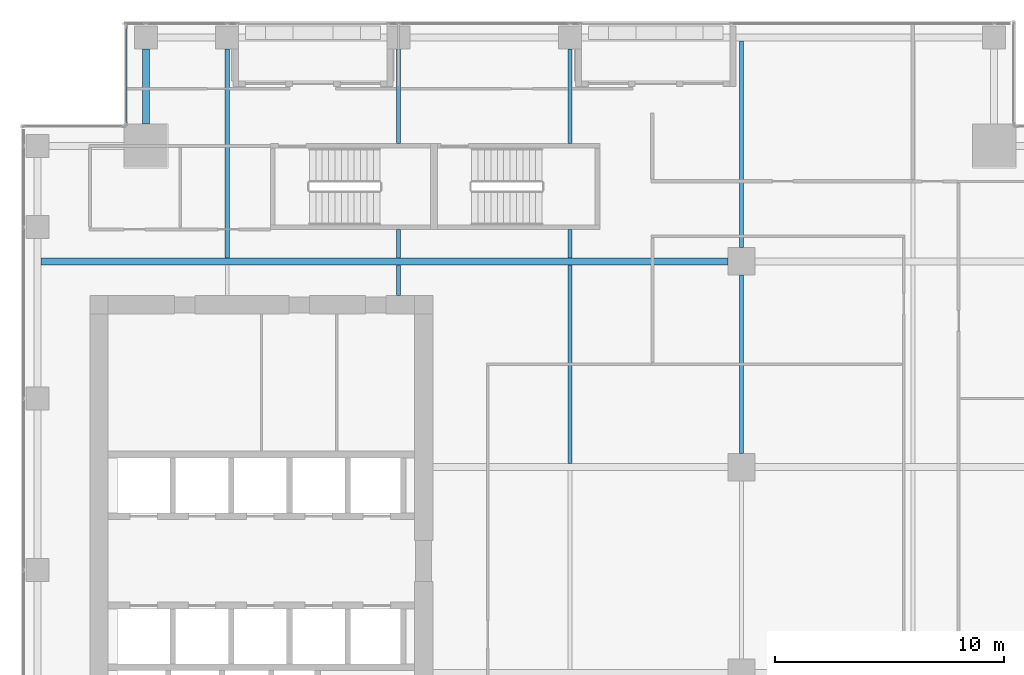
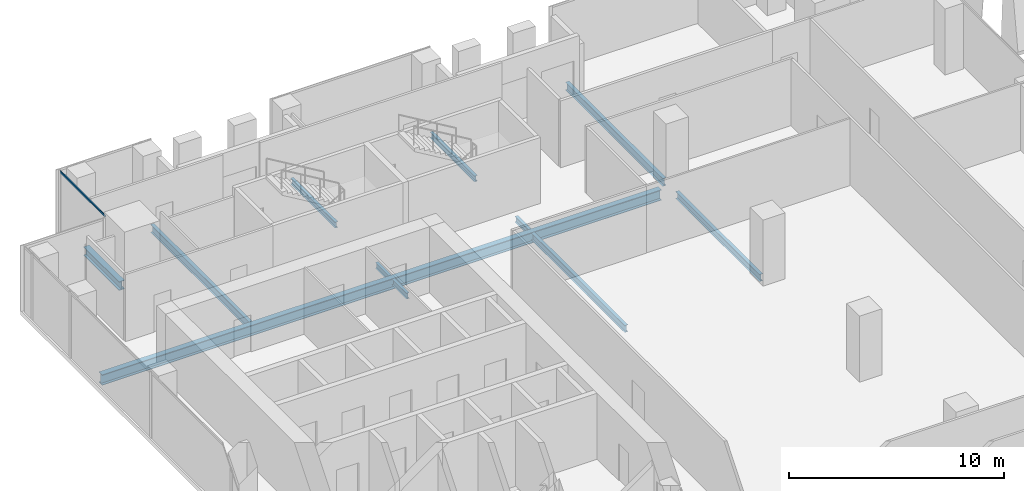
# One storey, part 18 of 38: 11 beams, 1 member, 1 element without a shape of its own.
"""IFC4 building model written with IfcOpenShell, lengths in metres."""

from ifc_helpers import new_model, si_unit, direction, frame, origin, origin_2d, place, context, subcontext, project, spatial, hollow_rectangle, i_section, extrude, source, transform, mapped, material, material_profile, profile_set, type_object, element, aggregate, save


model = new_model("IFC4")

# Units and contexts
model_context = context("Model", 3, precision=1e-05, world=origin(), true_north=direction((0.0, 1.0)))
body_context = subcontext(model_context, "Body", "Model", "MODEL_VIEW")
ifc_project = project(units=[si_unit("LENGTHUNIT", "METRE"), si_unit("AREAUNIT", "SQUARE_METRE"), si_unit("VOLUMEUNIT", "CUBIC_METRE"), si_unit("PLANEANGLEUNIT", "RADIAN"), si_unit("MASSUNIT", "GRAM", prefix="KILO")], contexts=[model_context])

# Site, building, storey
site_placement = place(None, origin())
site = spatial("IfcSite", under=ifc_project, at=site_placement, CompositionType="ELEMENT")
building_placement = place(site_placement, origin())
building = spatial("IfcBuilding", under=site, at=building_placement, Name="Khomas Fold Tower", CompositionType="ELEMENT")
storey_placement = place(building_placement, frame((0.0, 0.0, 208.699951171875)))
storey = spatial("IfcBuildingStorey", under=building, at=storey_placement, Name="L46", CompositionType="ELEMENT", Elevation=208.699951171875)

# Beams
ifc_material_1 = material(Name="Steel S355", Category="steel")
ifc_material_profile_1 = material_profile(ifc_material_1, i_section(OverallWidth=0.179931640625, OverallDepth=0.39990234375, WebThickness=0.008544921875, FlangeThickness=0.013427734375, at=origin_2d()), Name="IPE 400")
ifc_profile_set_1 = profile_set([ifc_material_profile_1], Name="Steel S355")
beam_type_1 = type_object("IfcBeamType", Name="IPE 400 beam JB3", PredefinedType="BEAM", material=ifc_profile_set_1)
shared_shape_1 = source(origin(), body_context, "Body", "SweptSolid", [
    extrude(i_section(OverallWidth=0.179931640625, OverallDepth=0.39990234375, WebThickness=0.008544921875, FlangeThickness=0.013427734375, at=origin_2d()), origin(), (0.0, 0.0, 1.0), 8.7001953125),
])
beam_1_placement = place(storey_placement, frame((27.0, 31.64990234375, -0.449951171875), z_axis=(0.0, 1.0, 0.0), x_axis=(-1.0, 0.0, 0.0)))
element("IfcBeam", 1, at=beam_1_placement, inside=storey, type_object=beam_type_1, Name="JB3", PredefinedType="BEAM", context=body_context, shape_type="MappedRepresentation", body=[
    mapped(shared_shape_1, transform((0.0, 0.0, 0.0))),
])
ifc_material_2 = material(Name="Steel S355", Category="steel")
ifc_material_profile_2 = material_profile(ifc_material_2, i_section(OverallWidth=0.159912109375, OverallDepth=0.330078125, WebThickness=0.007568359375, FlangeThickness=0.011474609375, at=origin_2d()), Name="IPE 330")
ifc_profile_set_2 = profile_set([ifc_material_profile_2], Name="Steel S355")
beam_type_2 = type_object("IfcBeamType", Name="IPE 330 beam JB1", PredefinedType="BEAM", material=ifc_profile_set_2)
shared_shape_2 = source(origin(), body_context, "Body", "SweptSolid", [
    extrude(i_section(OverallWidth=0.159912109375, OverallDepth=0.330078125, WebThickness=0.007568359375, FlangeThickness=0.011474609375, at=origin_2d()), origin(), (0.0, 0.0, 1.0), 1.25),
])
for number, where, z_axis, x_axis, name in (
    (2, (19.5, 40.64990234375, -0.4150390625), (0.0, 1.0, 0.0), (-1.0, 0.0, 0.0), "JB1"),
    (3, (27.0, 40.64990234375, -0.4150390625), (0.0, 1.0, 0.0), (-1.0, 0.0, 0.0), "JB1"),
):
    element("IfcBeam", number, at=place(storey_placement, frame(where, z_axis=z_axis, x_axis=x_axis)), inside=storey, type_object=beam_type_2, Name=name, PredefinedType="BEAM", context=body_context, shape_type="MappedRepresentation", body=[
        mapped(shared_shape_2, transform((0.0, 0.0, 0.0))),
    ])
ifc_material_3 = material(Name="Steel S355", Category="steel")
ifc_material_profile_3 = material_profile(ifc_material_3, i_section(OverallWidth=0.300048828125, OverallDepth=0.5, WebThickness=0.014404296875, FlangeThickness=0.028076171875, at=origin_2d()), Name="HE 500 B")
ifc_profile_set_3 = profile_set([ifc_material_profile_3], Name="Steel S355")
beam_type_3 = type_object("IfcBeamType", Name="HE 500 B spandrel SB3", PredefinedType="SPANDREL", material=ifc_profile_set_3)
shared_shape_3 = source(origin(), body_context, "Body", "SweptSolid", [
    extrude(i_section(OverallWidth=0.300048828125, OverallDepth=0.5, WebThickness=0.014404296875, FlangeThickness=0.028076171875, at=origin_2d()), origin(), (0.0, 0.0, 1.0), 3.300048828125),
])
beam_2_placement = place(storey_placement, frame((8.449951171875, 46.5, -0.5), z_axis=(0.0, 1.0, 0.0), x_axis=(-1.0, 0.0, 0.0)))
element("IfcBeam", 4, at=beam_2_placement, inside=storey, type_object=beam_type_3, Name="SB3", PredefinedType="SPANDREL", context=body_context, shape_type="MappedRepresentation", body=[
    mapped(shared_shape_3, transform((0.0, 0.0, 0.0))),
])
shared_shape_4 = source(origin(), body_context, "Body", "SweptSolid", [
    extrude(i_section(OverallWidth=0.159912109375, OverallDepth=0.330078125, WebThickness=0.007568359375, FlangeThickness=0.011474609375, at=origin_2d()), origin(), (0.0, 0.0, 1.0), 4.150146484375),
])
for number, where, z_axis, x_axis, name in (
    (5, (19.5, 45.64990234375, -0.4150390625), (0.0, 1.0, 0.0), (-1.0, 0.0, 0.0), "JB1"),
    (6, (27.0, 45.64990234375, -0.4150390625), (0.0, 1.0, 0.0), (-1.0, 0.0, 0.0), "JB1"),
):
    element("IfcBeam", number, at=place(storey_placement, frame(where, z_axis=z_axis, x_axis=x_axis)), inside=storey, type_object=beam_type_2, Name=name, PredefinedType="BEAM", context=body_context, shape_type="MappedRepresentation", body=[
        mapped(shared_shape_4, transform((0.0, 0.0, 0.0))),
    ])
shared_shape_5 = source(origin(), body_context, "Body", "SweptSolid", [
    extrude(i_section(OverallWidth=0.179931640625, OverallDepth=0.39990234375, WebThickness=0.008544921875, FlangeThickness=0.013427734375, at=origin_2d()), origin(), (0.0, 0.0, 1.0), 7.7998046875),
])
beam_3_placement = place(storey_placement, frame((34.5, 32.10009765625, -0.449951171875), z_axis=(0.0, 1.0, 0.0), x_axis=(-1.0, 0.0, 0.0)))
element("IfcBeam", 7, at=beam_3_placement, inside=storey, type_object=beam_type_1, Name="JB3", PredefinedType="BEAM", context=body_context, shape_type="MappedRepresentation", body=[
    mapped(shared_shape_5, transform((0.0, 0.0, 0.0))),
])
ifc_material_4 = material(Name="Steel S355", Category="steel")
ifc_material_profile_4 = material_profile(ifc_material_4, i_section(OverallWidth=0.18994140625, OverallDepth=0.449951171875, WebThickness=0.009521484375, FlangeThickness=0.0146484375, at=origin_2d()), Name="IPE 450")
ifc_profile_set_4 = profile_set([ifc_material_profile_4], Name="Steel S355")
beam_type_4 = type_object("IfcBeamType", Name="IPE 450 beam JB4", PredefinedType="BEAM", material=ifc_profile_set_4)
shared_shape_6 = source(origin(), body_context, "Body", "SweptSolid", [
    extrude(i_section(OverallWidth=0.18994140625, OverallDepth=0.449951171875, WebThickness=0.009521484375, FlangeThickness=0.0146484375, at=origin_2d()), origin(), (0.0, 0.0, 1.0), 9.150146484375),
])
beam_4_placement = place(storey_placement, frame((12.0, 40.64990234375, -0.474853515625), z_axis=(0.0, 1.0, 0.0), x_axis=(-1.0, 0.0, 0.0)))
element("IfcBeam", 8, at=beam_4_placement, inside=storey, type_object=beam_type_4, Name="JB4", PredefinedType="BEAM", context=body_context, shape_type="MappedRepresentation", body=[
    mapped(shared_shape_6, transform((0.0, 0.0, 0.0))),
])
ifc_material_5 = material(Name="Steel S355", Category="steel")
ifc_material_profile_5 = material_profile(ifc_material_5, i_section(OverallWidth=0.300048828125, OverallDepth=0.60009765625, WebThickness=0.015380859375, FlangeThickness=0.030029296875, at=origin_2d()), Name="HE 600 B")
ifc_profile_set_5 = profile_set([ifc_material_profile_5], Name="Steel S355")
beam_type_5 = type_object("IfcBeamType", Name="HE 600 B beam GB5", PredefinedType="BEAM", material=ifc_profile_set_5)
shared_shape_7 = source(origin(), body_context, "Body", "SweptSolid", [
    extrude(i_section(OverallWidth=0.300048828125, OverallDepth=0.60009765625, WebThickness=0.015380859375, FlangeThickness=0.030029296875, at=origin_2d()), origin(), (0.0, 0.0, 1.0), 30.0498046875),
])
beam_5_placement = place(storey_placement, frame((3.85009765625, 40.5, -0.550048828125), z_axis=(1.0, 0.0, 0.0), x_axis=(0.0, 1.0, 0.0)))
element("IfcBeam", 9, at=beam_5_placement, inside=storey, type_object=beam_type_5, Name="GB5", PredefinedType="BEAM", context=body_context, shape_type="MappedRepresentation", body=[
    mapped(shared_shape_7, transform((0.0, 0.0, 0.0))),
])
shared_shape_8 = source(origin(), body_context, "Body", "SweptSolid", [
    extrude(i_section(OverallWidth=0.159912109375, OverallDepth=0.330078125, WebThickness=0.007568359375, FlangeThickness=0.011474609375, at=origin_2d()), origin(), (0.0, 0.0, 1.0), 1.35009765625),
])
beam_6_placement = place(storey_placement, frame((19.5, 39.0, -0.4150390625), z_axis=(0.0, 1.0, 0.0), x_axis=(-1.0, 0.0, 0.0)))
element("IfcBeam", 10, at=beam_6_placement, inside=storey, type_object=beam_type_2, Name="JB1", PredefinedType="BEAM", context=body_context, shape_type="MappedRepresentation", body=[
    mapped(shared_shape_8, transform((0.0, 0.0, 0.0))),
])
shared_shape_9 = source(origin(), body_context, "Body", "SweptSolid", [
    extrude(i_section(OverallWidth=0.18994140625, OverallDepth=0.449951171875, WebThickness=0.009521484375, FlangeThickness=0.0146484375, at=origin_2d()), origin(), (0.0, 0.0, 1.0), 9.0498046875),
])
beam_7_placement = place(storey_placement, frame((34.5, 41.10009765625, -0.474853515625), z_axis=(0.0, 1.0, 0.0), x_axis=(-1.0, 0.0, 0.0)))
element("IfcBeam", 11, at=beam_7_placement, inside=storey, type_object=beam_type_4, Name="JB4", PredefinedType="BEAM", context=body_context, shape_type="MappedRepresentation", body=[
    mapped(shared_shape_9, transform((0.0, 0.0, 0.0))),
])

# Curtain wall, member
ifc_material_6 = material(Name="Aluminium framed double glazing", Category="aluminium")
curtain_wall_type = type_object("IfcCurtainWallType", Name="SK-Unitised clear-glass wall, office floors CW2", PredefinedType="NOTDEFINED", material=ifc_material_6)
curtain_wall_placement = place(storey_placement, origin())
curtain_wall = element("IfcCurtainWall", 12, at=curtain_wall_placement, inside=storey, type_object=curtain_wall_type, Name="CW2 corner return L46 07", PredefinedType="NOTDEFINED")
ifc_material_7 = material(Name="Aluminium", Category="aluminium")
ifc_material_profile_6 = material_profile(ifc_material_7, hollow_rectangle(XDim=0.050048828125, YDim=0.110107421875, WallThickness=0.00390625, at=origin_2d()), Name="SK-Unitised clear-glass wall, office floors transom CW2-T")
ifc_profile_set_6 = profile_set([ifc_material_profile_6], Name="Aluminium")
member_type = type_object("IfcMemberType", Name="SK-Unitised clear-glass wall, office floors transom CW2-T", PredefinedType="USERDEFINED", material=ifc_profile_set_6)
shared_shape_10 = source(origin(), body_context, "Body", "SweptSolid", [
    extrude(hollow_rectangle(XDim=0.050048828125, YDim=0.110107421875, WallThickness=0.00390625, at=origin_2d()), origin(), (0.0, 0.0, 1.0), 4.179931640625),
])
member_placement = place(storey_placement, frame((7.60009765625, 50.739990234375, 3.695068359375), z_axis=(0.0, -1.0, 0.0), x_axis=(1.0, 0.0, 0.0)))
member = element("IfcMember", 13, at=member_placement, type_object=member_type, Name="CW2 transom 1", ObjectType="TRANSOM", PredefinedType="USERDEFINED", context=body_context, shape_type="MappedRepresentation", body=[
    mapped(shared_shape_10, transform((0.0, 0.0, 0.0))),
])
aggregate(curtain_wall, [member])

save(model, "model.ifc")
